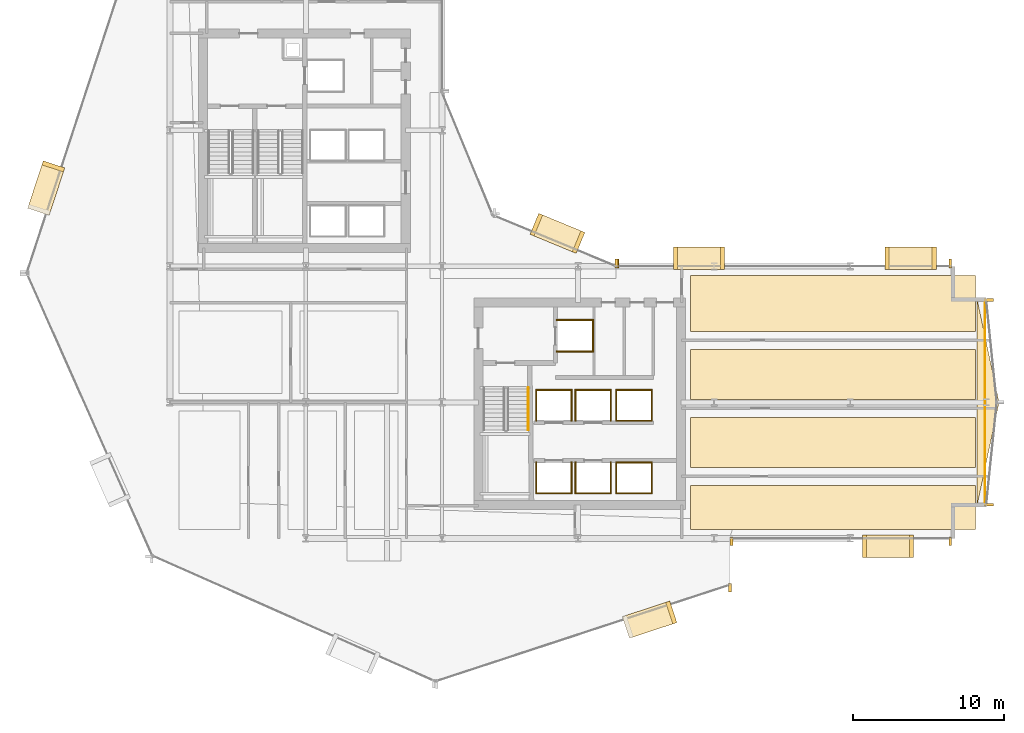
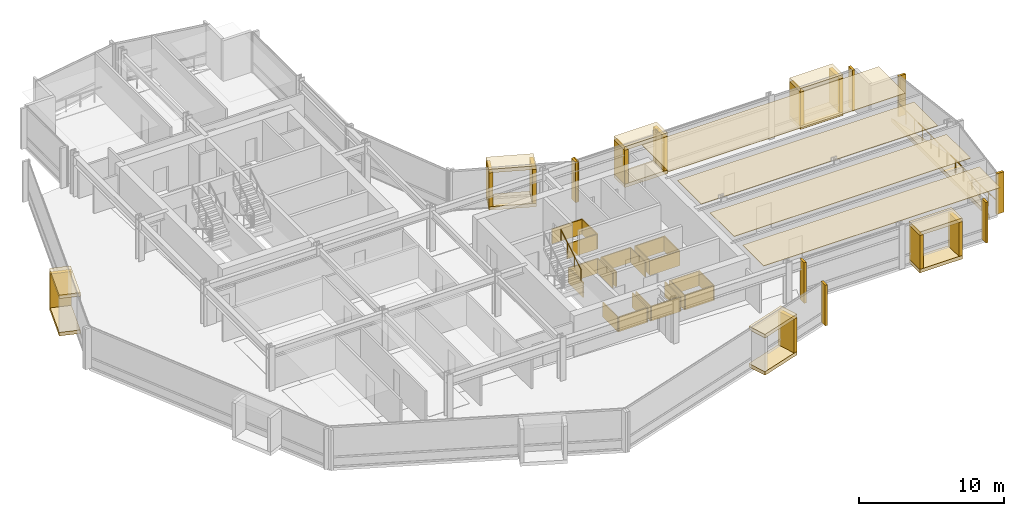
# One storey, part 32 of 34: 58 coverings, 2 railings.
"""IFC4 building model written with IfcOpenShell, lengths in metres."""

from ifc_helpers import new_model, si_unit, direction, frame, origin, origin_2d, place, context, subcontext, project, spatial, polyline, rectangle, circle, outline, extrude, material, layer, layer_set, type_object, element, save


model = new_model("IFC4")

# Units and contexts
model_context = context("Model", 3, precision=1e-05, world=origin(), true_north=direction((0.0, 1.0)))
body_context = subcontext(model_context, "Body", "Model", "MODEL_VIEW")
ifc_project = project(units=[si_unit("LENGTHUNIT", "METRE"), si_unit("AREAUNIT", "SQUARE_METRE"), si_unit("VOLUMEUNIT", "CUBIC_METRE"), si_unit("PLANEANGLEUNIT", "RADIAN"), si_unit("MASSUNIT", "GRAM", prefix="KILO")], contexts=[model_context])

# Site, building, storey
site_placement = place(None, origin())
site = spatial("IfcSite", under=ifc_project, at=site_placement, CompositionType="ELEMENT")
building_placement = place(site_placement, origin())
building = spatial("IfcBuilding", under=site, at=building_placement, Name="Solvaryn Broadcast Tower", CompositionType="ELEMENT")
storey_placement = place(building_placement, frame((0.0, 0.0, 47.10009765625)))
storey = spatial("IfcBuildingStorey", under=building, at=storey_placement, Name="L10", CompositionType="ELEMENT", Elevation=47.10009765625)

# Coverings
ifc_material_1 = material(Name="Micro-Perforated Acoustic Gypsum Ceiling", Category="concrete")
ifc_layer_1 = layer(ifc_material_1, 0.0400390625)
ifc_layer_set_1 = layer_set([ifc_layer_1], Name="CV-CEIL-ACOUSTIC")
covering_type_1 = type_object("IfcCoveringType", Name="CV-CEIL-ACOUSTIC", PredefinedType="CEILING", material=ifc_layer_set_1)
covering_1_placement = place(storey_placement, frame((0.0, 0.0, 3.3798828125)))
element("IfcCovering", 1, at=covering_1_placement, inside=storey, type_object=covering_type_1, Name="L10 Room Acoustic Ceiling 9", PredefinedType="CEILING", context=body_context, shape_type="SweptSolid", body=[
    extrude(outline(polyline([(43.449951171875, 9.60009765625), (62.300048828125, 9.60009765625), (62.300048828125, 12.5), (43.449951171875, 12.5), (43.449951171875, 9.60009765625)])), origin(), (0.0, 0.0, 1.0), 0.0400390625),
])
covering_2_placement = place(storey_placement, frame((0.0, 0.0, 3.3798828125)))
element("IfcCovering", 2, at=covering_2_placement, inside=storey, type_object=covering_type_1, Name="L10 Room Acoustic Ceiling 10", PredefinedType="CEILING", context=body_context, shape_type="SweptSolid", body=[
    extrude(outline(polyline([(43.449951171875, 13.699951171875), (62.300048828125, 13.699951171875), (62.300048828125, 17.0), (43.449951171875, 17.0), (43.449951171875, 13.699951171875)])), origin(), (0.0, 0.0, 1.0), 0.0400390625),
])
covering_3_placement = place(storey_placement, frame((0.0, 0.0, 3.3798828125)))
element("IfcCovering", 3, at=covering_3_placement, inside=storey, type_object=covering_type_1, Name="L10 Room Acoustic Ceiling 11", PredefinedType="CEILING", context=body_context, shape_type="SweptSolid", body=[
    extrude(outline(polyline([(43.449951171875, 18.199951171875), (62.300048828125, 18.199951171875), (62.300048828125, 21.5), (43.449951171875, 21.5), (43.449951171875, 18.199951171875)])), origin(), (0.0, 0.0, 1.0), 0.0400390625),
])
covering_4_placement = place(storey_placement, frame((0.0, 0.0, 3.3798828125)))
element("IfcCovering", 4, at=covering_4_placement, inside=storey, type_object=covering_type_1, Name="L10 Room Acoustic Ceiling 12", PredefinedType="CEILING", context=body_context, shape_type="SweptSolid", body=[
    extrude(outline(polyline([(43.449951171875, 22.699951171875), (62.300048828125, 22.699951171875), (62.300048828125, 26.39990234375), (43.449951171875, 26.39990234375), (43.449951171875, 22.699951171875)])), origin(), (0.0, 0.0, 1.0), 0.0400390625),
])
ifc_material_2 = material(Name="Fire-Rated Gypsum Shaftwall Liner", Category="concrete")
ifc_layer_2 = layer(ifc_material_2, 0.080078125)
ifc_layer_set_2 = layer_set([ifc_layer_2], Name="CV-SHAFT-LINER")
covering_type_2 = type_object("IfcCoveringType", Name="CV-SHAFT-LINER", PredefinedType="CLADDING", material=ifc_layer_set_2)
for number, where, z_axis, x_axis, name in (
    (5, (35.800048828125, 23.43994140625, 0.0), (0.0, 0.0, 1.0), (1.0, 0.0, 0.0), "L10 FL2 Hoistway Shaft Liner North"),
    (6, (35.800048828125, 21.360107421875, 0.0), (0.0, 0.0, 1.0), (1.0, 0.0, 0.0), "L10 FL2 Hoistway Shaft Liner South"),
):
    element("IfcCovering", number, at=place(storey_placement, frame(where, z_axis=z_axis, x_axis=x_axis)), inside=storey, type_object=covering_type_2, Name=name, PredefinedType="CLADDING", context=body_context, shape_type="SweptSolid", body=[
        extrude(rectangle(XDim=2.4599609375, YDim=0.080078125, at=origin_2d()), origin(), (0.0, 0.0, 1.0), 1.25),
    ])
covering_5_placement = place(storey_placement, frame((36.989990234375, 22.39990234375, 0.0), z_axis=(0.0, 0.0, 1.0), x_axis=(1.0, 0.0, 0.0)))
element("IfcCovering", 7, at=covering_5_placement, inside=storey, type_object=covering_type_2, Name="L10 FL2 Hoistway Shaft Liner East", PredefinedType="CLADDING", context=body_context, shape_type="SweptSolid", body=[
    extrude(rectangle(XDim=0.080078125, YDim=2.159912109375, at=origin_2d()), origin(), (0.0, 0.0, 1.0), 1.25),
])
covering_6_placement = place(storey_placement, frame((34.39990234375, 11.985107421875, 0.0), z_axis=(0.0, 0.0, 1.0), x_axis=(1.0, 0.0, 0.0)))
element("IfcCovering", 8, at=covering_6_placement, inside=storey, type_object=covering_type_2, Name="L10 PL1 Hoistway Shaft Liner South", PredefinedType="CLADDING", context=body_context, shape_type="SweptSolid", body=[
    extrude(rectangle(XDim=2.409912109375, YDim=0.080078125, at=origin_2d()), origin(), (0.0, 0.0, 1.0), 1.25),
])
for number, where, z_axis, x_axis, name in (
    (9, (35.56494140625, 13.0, 0.0), (0.0, 0.0, 1.0), (1.0, 0.0, 0.0), "L10 PL1 Hoistway Shaft Liner East"),
    (10, (33.235107421875, 13.0, 0.0), (0.0, 0.0, 1.0), (1.0, 0.0, 0.0), "L10 PL1 Hoistway Shaft Liner West"),
):
    element("IfcCovering", number, at=place(storey_placement, frame(where, z_axis=z_axis, x_axis=x_axis)), inside=storey, type_object=covering_type_2, Name=name, PredefinedType="CLADDING", context=body_context, shape_type="SweptSolid", body=[
        extrude(rectangle(XDim=0.080078125, YDim=2.110107421875, at=origin_2d()), origin(), (0.0, 0.0, 1.0), 1.25),
    ])
covering_7_placement = place(storey_placement, frame((37.0, 11.985107421875, 0.0), z_axis=(0.0, 0.0, 1.0), x_axis=(1.0, 0.0, 0.0)))
element("IfcCovering", 11, at=covering_7_placement, inside=storey, type_object=covering_type_2, Name="L10 PL2 Hoistway Shaft Liner South", PredefinedType="CLADDING", context=body_context, shape_type="SweptSolid", body=[
    extrude(rectangle(XDim=2.409912109375, YDim=0.080078125, at=origin_2d()), origin(), (0.0, 0.0, 1.0), 1.25),
])
for number, where, z_axis, x_axis, name in (
    (12, (38.1650390625, 13.0, 0.0), (0.0, 0.0, 1.0), (1.0, 0.0, 0.0), "L10 PL2 Hoistway Shaft Liner East"),
    (13, (35.8349609375, 13.0, 0.0), (0.0, 0.0, 1.0), (1.0, 0.0, 0.0), "L10 PL2 Hoistway Shaft Liner West"),
):
    element("IfcCovering", number, at=place(storey_placement, frame(where, z_axis=z_axis, x_axis=x_axis)), inside=storey, type_object=covering_type_2, Name=name, PredefinedType="CLADDING", context=body_context, shape_type="SweptSolid", body=[
        extrude(rectangle(XDim=0.080078125, YDim=2.110107421875, at=origin_2d()), origin(), (0.0, 0.0, 1.0), 1.25),
    ])
covering_8_placement = place(storey_placement, frame((34.39990234375, 18.81494140625, 0.0), z_axis=(0.0, 0.0, 1.0), x_axis=(1.0, 0.0, 0.0)))
element("IfcCovering", 14, at=covering_8_placement, inside=storey, type_object=covering_type_2, Name="L10 PL3 Hoistway Shaft Liner North", PredefinedType="CLADDING", context=body_context, shape_type="SweptSolid", body=[
    extrude(rectangle(XDim=2.409912109375, YDim=0.080078125, at=origin_2d()), origin(), (0.0, 0.0, 1.0), 1.25),
])
for number, where, z_axis, x_axis, name in (
    (15, (35.56494140625, 17.800048828125, 0.0), (0.0, 0.0, 1.0), (1.0, 0.0, 0.0), "L10 PL3 Hoistway Shaft Liner East"),
    (16, (33.235107421875, 17.800048828125, 0.0), (0.0, 0.0, 1.0), (1.0, 0.0, 0.0), "L10 PL3 Hoistway Shaft Liner West"),
):
    element("IfcCovering", number, at=place(storey_placement, frame(where, z_axis=z_axis, x_axis=x_axis)), inside=storey, type_object=covering_type_2, Name=name, PredefinedType="CLADDING", context=body_context, shape_type="SweptSolid", body=[
        extrude(rectangle(XDim=0.080078125, YDim=2.110107421875, at=origin_2d()), origin(), (0.0, 0.0, 1.0), 1.25),
    ])
covering_9_placement = place(storey_placement, frame((37.0, 18.81494140625, 0.0), z_axis=(0.0, 0.0, 1.0), x_axis=(1.0, 0.0, 0.0)))
element("IfcCovering", 17, at=covering_9_placement, inside=storey, type_object=covering_type_2, Name="L10 PL4 Hoistway Shaft Liner North", PredefinedType="CLADDING", context=body_context, shape_type="SweptSolid", body=[
    extrude(rectangle(XDim=2.409912109375, YDim=0.080078125, at=origin_2d()), origin(), (0.0, 0.0, 1.0), 1.25),
])
for number, where, z_axis, x_axis, name in (
    (18, (38.1650390625, 17.800048828125, 0.0), (0.0, 0.0, 1.0), (1.0, 0.0, 0.0), "L10 PL4 Hoistway Shaft Liner East"),
    (19, (35.8349609375, 17.800048828125, 0.0), (0.0, 0.0, 1.0), (1.0, 0.0, 0.0), "L10 PL4 Hoistway Shaft Liner West"),
):
    element("IfcCovering", number, at=place(storey_placement, frame(where, z_axis=z_axis, x_axis=x_axis)), inside=storey, type_object=covering_type_2, Name=name, PredefinedType="CLADDING", context=body_context, shape_type="SweptSolid", body=[
        extrude(rectangle(XDim=0.080078125, YDim=2.110107421875, at=origin_2d()), origin(), (0.0, 0.0, 1.0), 1.25),
    ])
for number, where, z_axis, x_axis, name in (
    (20, (39.699951171875, 14.014892578125, 0.0), (0.0, 0.0, 1.0), (1.0, 0.0, 0.0), "L10 PM1 Hoistway Shaft Liner North"),
    (21, (39.699951171875, 11.985107421875, 0.0), (0.0, 0.0, 1.0), (1.0, 0.0, 0.0), "L10 PM1 Hoistway Shaft Liner South"),
):
    element("IfcCovering", number, at=place(storey_placement, frame(where, z_axis=z_axis, x_axis=x_axis)), inside=storey, type_object=covering_type_2, Name=name, PredefinedType="CLADDING", context=body_context, shape_type="SweptSolid", body=[
        extrude(rectangle(XDim=2.409912109375, YDim=0.080078125, at=origin_2d()), origin(), (0.0, 0.0, 1.0), 1.25),
    ])
for number, where, z_axis, x_axis, name in (
    (22, (40.864990234375, 13.0, 0.0), (0.0, 0.0, 1.0), (1.0, 0.0, 0.0), "L10 PM1 Hoistway Shaft Liner East"),
    (23, (38.534912109375, 13.0, 0.0), (0.0, 0.0, 1.0), (1.0, 0.0, 0.0), "L10 PM1 Hoistway Shaft Liner West"),
):
    element("IfcCovering", number, at=place(storey_placement, frame(where, z_axis=z_axis, x_axis=x_axis)), inside=storey, type_object=covering_type_2, Name=name, PredefinedType="CLADDING", context=body_context, shape_type="SweptSolid", body=[
        extrude(rectangle(XDim=0.080078125, YDim=2.110107421875, at=origin_2d()), origin(), (0.0, 0.0, 1.0), 1.25),
    ])
for number, where, z_axis, x_axis, name in (
    (24, (39.699951171875, 18.81494140625, 0.0), (0.0, 0.0, 1.0), (1.0, 0.0, 0.0), "L10 PM2 Hoistway Shaft Liner North"),
    (25, (39.699951171875, 16.784912109375, 0.0), (0.0, 0.0, 1.0), (1.0, 0.0, 0.0), "L10 PM2 Hoistway Shaft Liner South"),
):
    element("IfcCovering", number, at=place(storey_placement, frame(where, z_axis=z_axis, x_axis=x_axis)), inside=storey, type_object=covering_type_2, Name=name, PredefinedType="CLADDING", context=body_context, shape_type="SweptSolid", body=[
        extrude(rectangle(XDim=2.409912109375, YDim=0.080078125, at=origin_2d()), origin(), (0.0, 0.0, 1.0), 1.25),
    ])
for number, where, z_axis, x_axis, name in (
    (26, (40.864990234375, 17.800048828125, 0.0), (0.0, 0.0, 1.0), (1.0, 0.0, 0.0), "L10 PM2 Hoistway Shaft Liner East"),
    (27, (38.534912109375, 17.800048828125, 0.0), (0.0, 0.0, 1.0), (1.0, 0.0, 0.0), "L10 PM2 Hoistway Shaft Liner West"),
):
    element("IfcCovering", number, at=place(storey_placement, frame(where, z_axis=z_axis, x_axis=x_axis)), inside=storey, type_object=covering_type_2, Name=name, PredefinedType="CLADDING", context=body_context, shape_type="SweptSolid", body=[
        extrude(rectangle(XDim=0.080078125, YDim=2.110107421875, at=origin_2d()), origin(), (0.0, 0.0, 1.0), 1.25),
    ])
ifc_material_3 = material(Name="Glazed Architectural Terracotta Rainscreen Cladding", Category="masonry")
ifc_layer_3 = layer(ifc_material_3, 0.280029296875)
ifc_layer_set_3 = layer_set([ifc_layer_3], Name="CV-TC-CLAD")
covering_type_3 = type_object("IfcCoveringType", Name="CV-TC-CLAD", PredefinedType="CLADDING", material=ifc_layer_set_3)
for number, where, z_axis, x_axis, name in (
    (28, (0.819091796875, 32.173095703125, 3.1298828125), (0.0, 0.0, 1.0), (-0.311671636848, -0.950189870912, 0.0), "L10 Projecting Stone Window Box Hood 1"),
    (29, (0.819091796875, 32.173095703125, -0.01025390625), (0.0, 0.0, 1.0), (-0.311671636848, -0.950189870912, 0.0), "L10 Projecting Stone Window Box Sill 1"),
):
    element("IfcCovering", number, at=place(storey_placement, frame(where, z_axis=z_axis, x_axis=x_axis)), inside=storey, type_object=covering_type_3, Name=name, PredefinedType="CLADDING", context=body_context, shape_type="SweptSolid", body=[
        extrude(rectangle(XDim=3.300048828125, YDim=1.5, at=origin_2d()), origin(), (0.0, 0.0, 1.0), 0.300048828125),
    ])
covering_10_placement = place(storey_placement, frame((1.28955078125, 33.60791015625, 0.27978515625), z_axis=(0.0, 0.0, 1.0), x_axis=(-0.311671636848, -0.950189870912, 0.0)))
element("IfcCovering", 30, at=covering_10_placement, inside=storey, type_object=covering_type_3, Name="L10 Projecting Stone Window Box Cheek 1-1", PredefinedType="CLADDING", context=body_context, shape_type="SweptSolid", body=[
    extrude(rectangle(XDim=0.280029296875, YDim=1.5, at=origin_2d()), origin(), (0.0, 0.0, 1.0), 2.860107421875),
])
for number, where, z_axis, x_axis, name in (
    (31, (40.73291015625, 3.6259765625, 3.1298828125), (0.0, 0.0, 1.0), (0.950189870912, 0.311671636848, 0.0), "L10 Projecting Stone Window Box Hood 4"),
    (32, (40.73291015625, 3.6259765625, -0.01025390625), (0.0, 0.0, 1.0), (0.950189870912, 0.311671636848, 0.0), "L10 Projecting Stone Window Box Sill 4"),
):
    element("IfcCovering", number, at=place(storey_placement, frame(where, z_axis=z_axis, x_axis=x_axis)), inside=storey, type_object=covering_type_3, Name=name, PredefinedType="CLADDING", context=body_context, shape_type="SweptSolid", body=[
        extrude(rectangle(XDim=3.300048828125, YDim=1.5, at=origin_2d()), origin(), (0.0, 0.0, 1.0), 0.300048828125),
    ])
covering_11_placement = place(storey_placement, frame((42.167724609375, 4.0966796875, 0.27978515625), z_axis=(0.0, 0.0, 1.0), x_axis=(0.950189870912, 0.311671636848, 0.0)))
element("IfcCovering", 33, at=covering_11_placement, inside=storey, type_object=covering_type_3, Name="L10 Projecting Stone Window Box Cheek 4-2", PredefinedType="CLADDING", context=body_context, shape_type="SweptSolid", body=[
    extrude(rectangle(XDim=0.280029296875, YDim=1.5, at=origin_2d()), origin(), (0.0, 0.0, 1.0), 2.860107421875),
])
for number, where, z_axis, x_axis, name in (
    (34, (34.636962890625, 29.174072265625, 3.1298828125), (0.0, 0.0, 1.0), (-0.923879532511, 0.382683432365, 0.0), "L10 Projecting Stone Window Box Hood 5"),
    (35, (34.636962890625, 29.174072265625, -0.01025390625), (0.0, 0.0, 1.0), (-0.923879532511, 0.382683432365, 0.0), "L10 Projecting Stone Window Box Sill 5"),
):
    element("IfcCovering", number, at=place(storey_placement, frame(where, z_axis=z_axis, x_axis=x_axis)), inside=storey, type_object=covering_type_3, Name=name, PredefinedType="CLADDING", context=body_context, shape_type="SweptSolid", body=[
        extrude(rectangle(XDim=3.300048828125, YDim=1.5, at=origin_2d()), origin(), (0.0, 0.0, 1.0), 0.300048828125),
    ])
for number, where, z_axis, x_axis, name in (
    (36, (36.031982421875, 28.59619140625, 0.27978515625), (0.0, 0.0, 1.0), (-0.923879532511, 0.382683432365, 0.0), "L10 Projecting Stone Window Box Cheek 5-1"),
    (37, (33.241943359375, 29.751953125, 0.27978515625), (0.0, 0.0, 1.0), (-0.923879532511, 0.382683432365, 0.0), "L10 Projecting Stone Window Box Cheek 5-2"),
):
    element("IfcCovering", number, at=place(storey_placement, frame(where, z_axis=z_axis, x_axis=x_axis)), inside=storey, type_object=covering_type_3, Name=name, PredefinedType="CLADDING", context=body_context, shape_type="SweptSolid", body=[
        extrude(rectangle(XDim=0.280029296875, YDim=1.5, at=origin_2d()), origin(), (0.0, 0.0, 1.0), 2.860107421875),
    ])
for number, where, z_axis, x_axis, name in (
    (38, (56.5, 8.469970703125, 3.1298828125), (0.0, 0.0, 1.0), (1.0, 0.0, 0.0), "L10 Projecting Stone Window Box Hood 6"),
    (39, (56.5, 8.469970703125, -0.01025390625), (0.0, 0.0, 1.0), (1.0, 0.0, 0.0), "L10 Projecting Stone Window Box Sill 6"),
):
    element("IfcCovering", number, at=place(storey_placement, frame(where, z_axis=z_axis, x_axis=x_axis)), inside=storey, type_object=covering_type_3, Name=name, PredefinedType="CLADDING", context=body_context, shape_type="SweptSolid", body=[
        extrude(rectangle(XDim=3.39990234375, YDim=1.5, at=origin_2d()), origin(), (0.0, 0.0, 1.0), 0.300048828125),
    ])
for number, where, z_axis, x_axis, name in (
    (40, (54.93994140625, 8.469970703125, 0.27978515625), (0.0, 0.0, 1.0), (1.0, 0.0, 0.0), "L10 Projecting Stone Window Box Cheek 6-1"),
    (41, (58.06005859375, 8.469970703125, 0.27978515625), (0.0, 0.0, 1.0), (1.0, 0.0, 0.0), "L10 Projecting Stone Window Box Cheek 6-2"),
):
    element("IfcCovering", number, at=place(storey_placement, frame(where, z_axis=z_axis, x_axis=x_axis)), inside=storey, type_object=covering_type_3, Name=name, PredefinedType="CLADDING", context=body_context, shape_type="SweptSolid", body=[
        extrude(rectangle(XDim=0.280029296875, YDim=1.5, at=origin_2d()), origin(), (0.0, 0.0, 1.0), 2.860107421875),
    ])
for number, where, z_axis, x_axis, name in (
    (42, (44.0, 27.530029296875, 3.1298828125), (0.0, 0.0, 1.0), (1.0, 0.0, 0.0), "L10 Projecting Stone Window Box Hood 7"),
    (43, (44.0, 27.530029296875, -0.01025390625), (0.0, 0.0, 1.0), (1.0, 0.0, 0.0), "L10 Projecting Stone Window Box Sill 7"),
):
    element("IfcCovering", number, at=place(storey_placement, frame(where, z_axis=z_axis, x_axis=x_axis)), inside=storey, type_object=covering_type_3, Name=name, PredefinedType="CLADDING", context=body_context, shape_type="SweptSolid", body=[
        extrude(rectangle(XDim=3.39990234375, YDim=1.5, at=origin_2d()), origin(), (0.0, 0.0, 1.0), 0.300048828125),
    ])
for number, where, z_axis, x_axis, name in (
    (44, (42.43994140625, 27.530029296875, 0.27978515625), (0.0, 0.0, 1.0), (1.0, 0.0, 0.0), "L10 Projecting Stone Window Box Cheek 7-1"),
    (45, (45.56005859375, 27.530029296875, 0.27978515625), (0.0, 0.0, 1.0), (1.0, 0.0, 0.0), "L10 Projecting Stone Window Box Cheek 7-2"),
):
    element("IfcCovering", number, at=place(storey_placement, frame(where, z_axis=z_axis, x_axis=x_axis)), inside=storey, type_object=covering_type_3, Name=name, PredefinedType="CLADDING", context=body_context, shape_type="SweptSolid", body=[
        extrude(rectangle(XDim=0.280029296875, YDim=1.5, at=origin_2d()), origin(), (0.0, 0.0, 1.0), 2.860107421875),
    ])
for number, where, z_axis, x_axis, name in (
    (46, (58.0, 27.530029296875, 3.1298828125), (0.0, 0.0, 1.0), (1.0, 0.0, 0.0), "L10 Projecting Stone Window Box Hood 8"),
    (47, (58.0, 27.530029296875, -0.01025390625), (0.0, 0.0, 1.0), (1.0, 0.0, 0.0), "L10 Projecting Stone Window Box Sill 8"),
):
    element("IfcCovering", number, at=place(storey_placement, frame(where, z_axis=z_axis, x_axis=x_axis)), inside=storey, type_object=covering_type_3, Name=name, PredefinedType="CLADDING", context=body_context, shape_type="SweptSolid", body=[
        extrude(rectangle(XDim=3.39990234375, YDim=1.5, at=origin_2d()), origin(), (0.0, 0.0, 1.0), 0.300048828125),
    ])
for number, where, z_axis, x_axis, name in (
    (48, (56.43994140625, 27.530029296875, 0.27978515625), (0.0, 0.0, 1.0), (1.0, 0.0, 0.0), "L10 Projecting Stone Window Box Cheek 8-1"),
    (49, (59.56005859375, 27.530029296875, 0.27978515625), (0.0, 0.0, 1.0), (1.0, 0.0, 0.0), "L10 Projecting Stone Window Box Cheek 8-2"),
):
    element("IfcCovering", number, at=place(storey_placement, frame(where, z_axis=z_axis, x_axis=x_axis)), inside=storey, type_object=covering_type_3, Name=name, PredefinedType="CLADDING", context=body_context, shape_type="SweptSolid", body=[
        extrude(rectangle(XDim=0.280029296875, YDim=1.5, at=origin_2d()), origin(), (0.0, 0.0, 1.0), 2.860107421875),
    ])
ifc_material_4 = material(Name="Extruded Architectural Terracotta Fin", Category="masonry")
ifc_layer_4 = layer(ifc_material_4, 0.179931640625)
ifc_layer_set_4 = layer_set([ifc_layer_4], Name="CV-TC-FIN")
covering_type_4 = type_object("IfcCoveringType", Name="CV-TC-FIN", PredefinedType="USERDEFINED", material=ifc_layer_set_4)
for number, where, z_axis, x_axis, name in (
    (50, (46.043701171875, 5.735595703125, 0.0), (0.0, 0.0, 1.0), (1.0, 0.0, 0.0), "L10 Terracotta Vertical Fin FIN-L10-DR4-M01"),
    (51, (38.541259765625, 27.177978515625, 0.0), (0.0, 0.0, 1.0), (1.0, 0.0, 0.0), "L10 Terracotta Vertical Fin FIN-L10-CN1-M00"),
    (52, (46.14599609375, 8.8125, 0.0), (0.0, 0.0, 1.0), (1.0, 0.0, 0.0), "L10 Terracotta Vertical Fin FIN-L10-S2-M00"),
    (53, (60.6201171875, 8.8125, 0.0), (0.0, 0.0, 1.0), (1.0, 0.0, 0.0), "L10 Terracotta Vertical Fin FIN-L10-S2-M01"),
):
    element("IfcCovering", number, at=place(storey_placement, frame(where, z_axis=z_axis, x_axis=x_axis)), inside=storey, type_object=covering_type_4, Name=name, ObjectType="FIN", PredefinedType="USERDEFINED", context=body_context, shape_type="SweptSolid", body=[
        extrude(rectangle(XDim=0.179931640625, YDim=0.580078125, at=origin_2d()), origin(), (0.0, 0.0, 1.0), 3.419921875),
    ])
for number, where, z_axis, x_axis, name in (
    (54, (63.190673828125, 24.770263671875, 0.0), (0.0, 0.0, 1.0), (1.0, 0.0, 0.0), "L10 Terracotta Vertical Fin FIN-L10-ET1-M00"),
    (55, (63.190673828125, 11.229736328125, 0.0), (0.0, 0.0, 1.0), (1.0, 0.0, 0.0), "L10 Terracotta Vertical Fin FIN-L10-ET2-M01"),
):
    element("IfcCovering", number, at=place(storey_placement, frame(where, z_axis=z_axis, x_axis=x_axis)), inside=storey, type_object=covering_type_4, Name=name, ObjectType="FIN", PredefinedType="USERDEFINED", context=body_context, shape_type="SweptSolid", body=[
        extrude(rectangle(XDim=0.580078125, YDim=0.179931640625, at=origin_2d()), origin(), (0.0, 0.0, 1.0), 3.419921875),
    ])
for number, where, z_axis, x_axis, name in (
    (56, (38.6298828125, 27.1875, 0.0), (0.0, 0.0, 1.0), (1.0, 0.0, 0.0), "L10 Terracotta Vertical Fin FIN-L10-IH-M00"),
    (57, (60.6201171875, 27.1875, 0.0), (0.0, 0.0, 1.0), (1.0, 0.0, 0.0), "L10 Terracotta Vertical Fin FIN-L10-IH-M01"),
):
    element("IfcCovering", number, at=place(storey_placement, frame(where, z_axis=z_axis, x_axis=x_axis)), inside=storey, type_object=covering_type_4, Name=name, ObjectType="FIN", PredefinedType="USERDEFINED", context=body_context, shape_type="SweptSolid", body=[
        extrude(rectangle(XDim=0.179931640625, YDim=0.580078125, at=origin_2d()), origin(), (0.0, 0.0, 1.0), 3.419921875),
    ])
ifc_material_5 = material(Name="Sculpted Architectural Terracotta Wave Fascia", Category="masonry")
ifc_layer_5 = layer(ifc_material_5, 0.340087890625)
ifc_layer_set_5 = layer_set([ifc_layer_5], Name="CV-WAVE-TRAY")
covering_type_5 = type_object("IfcCoveringType", Name="CV-WAVE-TRAY", PredefinedType="CLADDING", material=ifc_layer_set_5)
covering_12_placement = place(storey_placement, frame((0.0, 0.0, -0.300048828125)))
element("IfcCovering", 58, at=covering_12_placement, inside=storey, type_object=covering_type_5, Name="L10 East Curved Wing Deck", PredefinedType="CLADDING", context=body_context, shape_type="SweptSolid", body=[
    extrude(outline(polyline([(62.39990234375, 11.199951171875), (63.85009765625, 18.0), (62.39990234375, 24.800048828125), (62.39990234375, 11.199951171875)])), origin(), (0.0, 0.0, 1.0), 0.329833984375),
])

# Railings
ifc_material_6 = material(Name="Brushed Stainless Steel Tubular Handrail", Category="steel")
railing_type_1 = type_object("IfcRailingType", Name="RL-STAIR-HANDRAIL", PredefinedType="HANDRAIL", material=ifc_material_6)
railing_1_placement = place(storey_placement, frame((32.699951171875, 16.159912109375, 2.01806640625)))
element("IfcRailing", 59, at=railing_1_placement, inside=storey, type_object=railing_type_1, Name="L10 ST3 stair handrail 2", PredefinedType="HANDRAIL", context=body_context, shape_type="SweptSolid", body=[
    extrude(circle(Radius=0.02392578125, at=origin_2d()), frame((0.0, 0.0, 0.8759765625), z_axis=(0.0, 0.857242210791, 0.514913383045), x_axis=(-1.0, 0.0, 0.0)), (0.0, 0.0, 1.0), 3.266357421875),
    extrude(circle(Radius=0.02099609375, at=origin_2d()), origin(), (0.0, 0.0, 1.0), 0.851806640625),
    extrude(circle(Radius=0.02099609375, at=origin_2d()), frame((0.0, 0.933349609375, 0.560546875)), (0.0, 0.0, 1.0), 0.851806640625),
    extrude(circle(Radius=0.02099609375, at=origin_2d()), frame((0.0, 1.86669921875, 1.121337890625)), (0.0, 0.0, 1.0), 0.851806640625),
    extrude(circle(Radius=0.02099609375, at=origin_2d()), frame((0.0, 2.800048828125, 1.681884765625)), (0.0, 0.0, 1.0), 0.851806640625),
])
ifc_material_7 = material(Name="Stainless Steel and Laminated Glass Guard", Category="steel")
railing_type_2 = type_object("IfcRailingType", Name="RL-TER-1150", PredefinedType="BALUSTRADE", material=ifc_material_7)
railing_2_placement = place(storey_placement, frame((62.919921875, 11.199951171875, 0.0)))
element("IfcRailing", 60, at=railing_2_placement, inside=storey, type_object=railing_type_2, Name="L10 East Wing Spandrel Edge Guard", PredefinedType="BALUSTRADE", context=body_context, shape_type="SweptSolid", body=[
    extrude(circle(Radius=0.02392578125, at=origin_2d()), frame((0.0, 0.0, 1.1259765625), z_axis=(0.0, 1.0, 0.0), x_axis=(-1.0, 0.0, 0.0)), (0.0, 0.0, 1.0), 13.60009765625),
    extrude(circle(Radius=0.02099609375, at=origin_2d()), origin(), (0.0, 0.0, 1.0), 1.101806640625),
    extrude(circle(Radius=0.02099609375, at=origin_2d()), frame((0.0, 1.13330078125, 0.0)), (0.0, 0.0, 1.0), 1.101806640625),
    extrude(circle(Radius=0.02099609375, at=origin_2d()), frame((0.0, 2.2666015625, 0.0)), (0.0, 0.0, 1.0), 1.101806640625),
    extrude(circle(Radius=0.02099609375, at=origin_2d()), frame((0.0, 3.39990234375, 0.0)), (0.0, 0.0, 1.0), 1.101806640625),
    extrude(circle(Radius=0.02099609375, at=origin_2d()), frame((0.0, 4.533447265625, 0.0)), (0.0, 0.0, 1.0), 1.101806640625),
    extrude(circle(Radius=0.02099609375, at=origin_2d()), frame((0.0, 5.666748046875, 0.0)), (0.0, 0.0, 1.0), 1.101806640625),
    extrude(circle(Radius=0.02099609375, at=origin_2d()), frame((0.0, 6.800048828125, 0.0)), (0.0, 0.0, 1.0), 1.101806640625),
    extrude(circle(Radius=0.02099609375, at=origin_2d()), frame((0.0, 7.933349609375, 0.0)), (0.0, 0.0, 1.0), 1.101806640625),
    extrude(circle(Radius=0.02099609375, at=origin_2d()), frame((0.0, 9.066650390625, 0.0)), (0.0, 0.0, 1.0), 1.101806640625),
    extrude(circle(Radius=0.02099609375, at=origin_2d()), frame((0.0, 10.2001953125, 0.0)), (0.0, 0.0, 1.0), 1.101806640625),
    extrude(circle(Radius=0.02099609375, at=origin_2d()), frame((0.0, 11.33349609375, 0.0)), (0.0, 0.0, 1.0), 1.101806640625),
    extrude(circle(Radius=0.02099609375, at=origin_2d()), frame((0.0, 12.466796875, 0.0)), (0.0, 0.0, 1.0), 1.101806640625),
    extrude(circle(Radius=0.02099609375, at=origin_2d()), frame((0.0, 13.60009765625, 0.0)), (0.0, 0.0, 1.0), 1.101806640625),
])

save(model, "model.ifc")
